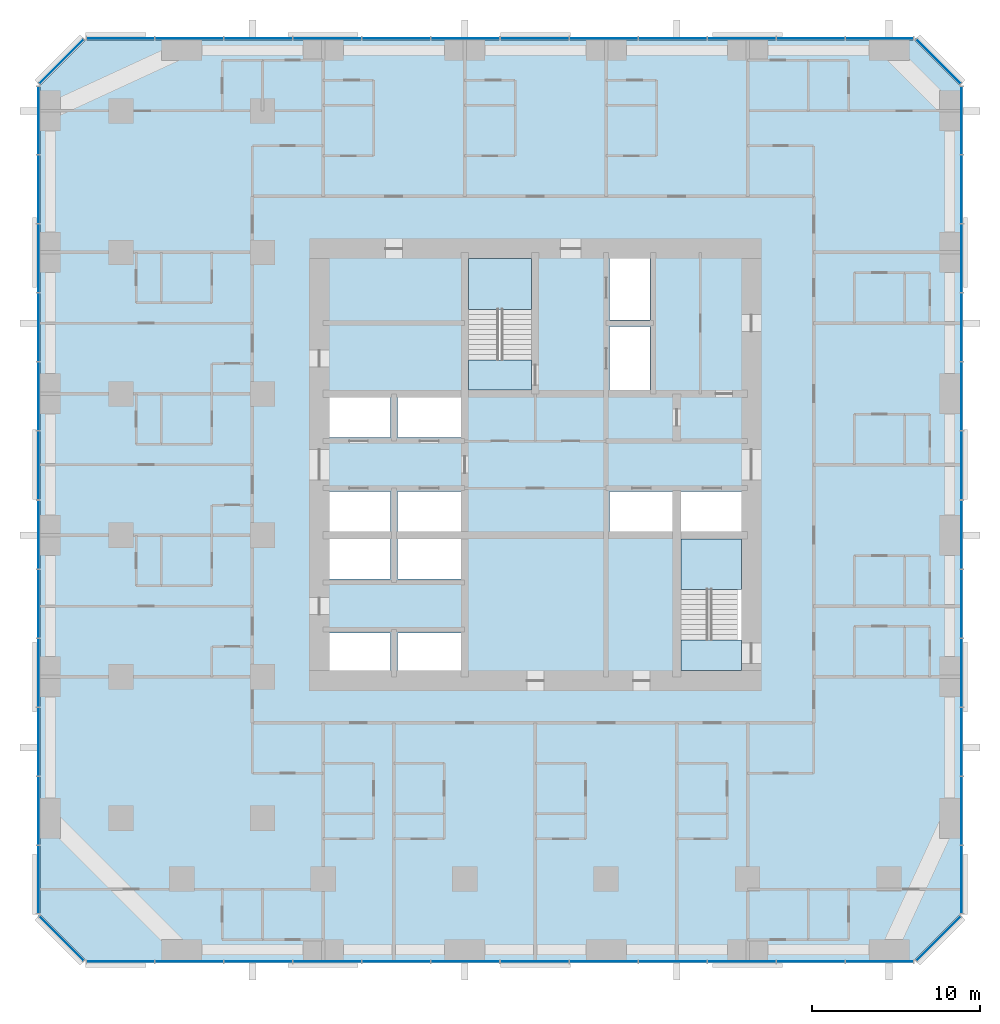
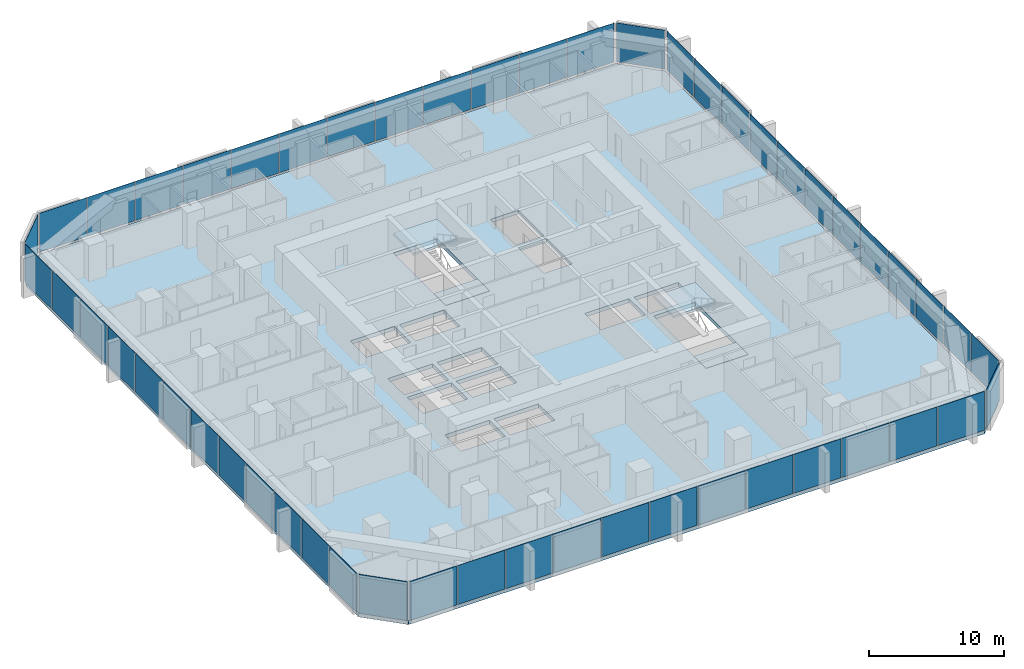
# One storey, part 7 of 14: 52 plates, 5 slabs, 10 elements without a shape of their own.
"""IFC4 building model written with IfcOpenShell, lengths in metres."""

from ifc_helpers import new_model, si_unit, direction, frame, origin, origin_2d, place, context, subcontext, project, spatial, polyline, rectangle, outline, extrude, material, layer, layer_set, type_object, element, aggregate, save


model = new_model("IFC4")

# Units and contexts
model_context = context("Model", 3, precision=1e-05, world=origin(), true_north=direction((0.0, 1.0)))
body_context = subcontext(model_context, "Body", "Model", "MODEL_VIEW")
ifc_project = project(units=[si_unit("LENGTHUNIT", "METRE"), si_unit("AREAUNIT", "SQUARE_METRE"), si_unit("VOLUMEUNIT", "CUBIC_METRE"), si_unit("PLANEANGLEUNIT", "RADIAN"), si_unit("MASSUNIT", "GRAM", prefix="KILO")], contexts=[model_context])

# Site, building, storey
site_placement = place(None, origin())
site = spatial("IfcSite", under=ifc_project, at=site_placement, CompositionType="ELEMENT")
building_placement = place(site_placement, origin())
building = spatial("IfcBuilding", under=site, at=building_placement, Name="Dunama Terrace Hotel", CompositionType="ELEMENT")
storey_placement = place(building_placement, frame((0.0, 0.0, 104.39990234375)))
storey = spatial("IfcBuildingStorey", under=building, at=storey_placement, Name="L26", CompositionType="ELEMENT", Elevation=104.39990234375)

# Curtain wall, plates
ifc_material_1 = material(Name="Aluminium curtain wall system", Category="aluminium")
curtain_wall_type = type_object("IfcCurtainWallType", Name="Unitised fritted glass wall CW-B", PredefinedType="NOTDEFINED", material=ifc_material_1)
curtain_wall_1_placement = place(storey_placement, origin())
curtain_wall_1 = element("IfcCurtainWall", 1, at=curtain_wall_1_placement, inside=storey, type_object=curtain_wall_type, Name="Unitised fritted glass wall CW-B L26", PredefinedType="NOTDEFINED")
ifc_material_2 = material(Name="Laminated glass", Category="glass")
ifc_layer_1 = layer(ifc_material_2, 0.030029296875)
ifc_layer_set_1 = layer_set([ifc_layer_1], Name="CWB clear glass panel")
plate_type_1 = type_object("IfcPlateType", Name="CWB clear glass panel", PredefinedType="CURTAIN_PANEL", material=ifc_layer_set_1)
plate_1_placement = place(storey_placement, frame((8.85009765625, -0.110107421875, 0.080078125), z_axis=(0.0, 0.0, 1.0), x_axis=(1.0, 0.0, 0.0)))
plate_1 = element("IfcPlate", 2, at=plate_1_placement, type_object=plate_type_1, Name="CWB clear glass panel", PredefinedType="CURTAIN_PANEL", context=body_context, shape_type="SweptSolid", body=[
    extrude(rectangle(XDim=4.034912109375, YDim=0.030029296875, at=origin_2d()), origin(), (0.0, 0.0, 1.0), 3.52001953125),
])
plate_2_placement = place(storey_placement, frame((21.14990234375, -0.110107421875, 0.080078125), z_axis=(0.0, 0.0, 1.0), x_axis=(1.0, 0.0, 0.0)))
plate_2 = element("IfcPlate", 3, at=plate_2_placement, type_object=plate_type_1, Name="CWB clear glass panel", PredefinedType="CURTAIN_PANEL", context=body_context, shape_type="SweptSolid", body=[
    extrude(rectangle(XDim=4.034912109375, YDim=0.030029296875, at=origin_2d()), origin(), (0.0, 0.0, 1.0), 3.52001953125),
])
plate_3_placement = place(storey_placement, frame((33.449951171875, -0.110107421875, 0.080078125), z_axis=(0.0, 0.0, 1.0), x_axis=(1.0, 0.0, 0.0)))
plate_3 = element("IfcPlate", 4, at=plate_3_placement, type_object=plate_type_1, Name="CWB clear glass panel", PredefinedType="CURTAIN_PANEL", context=body_context, shape_type="SweptSolid", body=[
    extrude(rectangle(XDim=4.034912109375, YDim=0.030029296875, at=origin_2d()), origin(), (0.0, 0.0, 1.0), 3.52001953125),
])
plate_4_placement = place(storey_placement, frame((45.75, -0.110107421875, 0.080078125), z_axis=(0.0, 0.0, 1.0), x_axis=(1.0, 0.0, 0.0)))
plate_4 = element("IfcPlate", 5, at=plate_4_placement, type_object=plate_type_1, Name="CWB clear glass panel", PredefinedType="CURTAIN_PANEL", context=body_context, shape_type="SweptSolid", body=[
    extrude(rectangle(XDim=4.034912109375, YDim=0.030029296875, at=origin_2d()), origin(), (0.0, 0.0, 1.0), 3.52001953125),
])

curtain_wall_2_placement = place(storey_placement, origin())
curtain_wall_2 = element("IfcCurtainWall", 6, at=curtain_wall_2_placement, inside=storey, type_object=curtain_wall_type, Name="Unitised fritted glass wall CW-B L26", PredefinedType="NOTDEFINED")
plate_5_placement = place(storey_placement, frame((54.7099609375, 4.76611328125, 0.080078125), z_axis=(0.0, 0.0, 1.0), x_axis=(0.0, 1.0, 0.0)))
plate_5 = element("IfcPlate", 7, at=plate_5_placement, type_object=plate_type_1, Name="CWB clear glass panel", PredefinedType="CURTAIN_PANEL", context=body_context, shape_type="SweptSolid", body=[
    extrude(rectangle(XDim=4.00244140625, YDim=0.030029296875, at=origin_2d()), origin(), (0.0, 0.0, 1.0), 3.52001953125),
])
plate_6_placement = place(storey_placement, frame((54.7099609375, 17.050048828125, 0.080078125), z_axis=(0.0, 0.0, 1.0), x_axis=(0.0, 1.0, 0.0)))
plate_6 = element("IfcPlate", 8, at=plate_6_placement, type_object=plate_type_1, Name="CWB clear glass panel", PredefinedType="CURTAIN_PANEL", context=body_context, shape_type="SweptSolid", body=[
    extrude(rectangle(XDim=4.034912109375, YDim=0.030029296875, at=origin_2d()), origin(), (0.0, 0.0, 1.0), 3.52001953125),
])
plate_7_placement = place(storey_placement, frame((54.7099609375, 29.35009765625, 0.080078125), z_axis=(0.0, 0.0, 1.0), x_axis=(0.0, 1.0, 0.0)))
plate_7 = element("IfcPlate", 9, at=plate_7_placement, type_object=plate_type_1, Name="CWB clear glass panel", PredefinedType="CURTAIN_PANEL", context=body_context, shape_type="SweptSolid", body=[
    extrude(rectangle(XDim=4.034912109375, YDim=0.030029296875, at=origin_2d()), origin(), (0.0, 0.0, 1.0), 3.52001953125),
])
plate_8_placement = place(storey_placement, frame((54.7099609375, 41.64990234375, 0.080078125), z_axis=(0.0, 0.0, 1.0), x_axis=(0.0, 1.0, 0.0)))
plate_8 = element("IfcPlate", 10, at=plate_8_placement, type_object=plate_type_1, Name="CWB clear glass panel", PredefinedType="CURTAIN_PANEL", context=body_context, shape_type="SweptSolid", body=[
    extrude(rectangle(XDim=4.034912109375, YDim=0.030029296875, at=origin_2d()), origin(), (0.0, 0.0, 1.0), 3.52001953125),
])

# Curtain wall, plate
curtain_wall_3_placement = place(storey_placement, origin())
curtain_wall_3 = element("IfcCurtainWall", 11, at=curtain_wall_3_placement, inside=storey, type_object=curtain_wall_type, Name="Unitised fritted glass wall CW-B L26", PredefinedType="NOTDEFINED")
plate_9_placement = place(storey_placement, frame((53.327880859375, 53.327880859375, 0.080078125), z_axis=(0.0, 0.0, 1.0), x_axis=(-0.707106781187, 0.707106781187, 0.0)))
plate_9 = element("IfcPlate", 12, at=plate_9_placement, type_object=plate_type_1, Name="CWB clear glass panel", PredefinedType="CURTAIN_PANEL", context=body_context, shape_type="SweptSolid", body=[
    extrude(rectangle(XDim=3.6884765625, YDim=0.030029296875, at=origin_2d()), origin(), (0.0, 0.0, 1.0), 3.52001953125),
])
aggregate(curtain_wall_3, [plate_9])

# Curtain wall, plates
curtain_wall_4_placement = place(storey_placement, origin())
curtain_wall_4 = element("IfcCurtainWall", 13, at=curtain_wall_4_placement, inside=storey, type_object=curtain_wall_type, Name="Unitised fritted glass wall CW-B L26", PredefinedType="NOTDEFINED")
plate_10_placement = place(storey_placement, frame((41.64990234375, 54.7099609375, 0.080078125), z_axis=(0.0, 0.0, 1.0), x_axis=(-1.0, 0.0, 0.0)))
plate_10 = element("IfcPlate", 14, at=plate_10_placement, type_object=plate_type_1, Name="CWB clear glass panel", PredefinedType="CURTAIN_PANEL", context=body_context, shape_type="SweptSolid", body=[
    extrude(rectangle(XDim=4.034912109375, YDim=0.030029296875, at=origin_2d()), origin(), (0.0, 0.0, 1.0), 3.52001953125),
])
plate_11_placement = place(storey_placement, frame((29.35009765625, 54.7099609375, 0.080078125), z_axis=(0.0, 0.0, 1.0), x_axis=(-1.0, 0.0, 0.0)))
plate_11 = element("IfcPlate", 15, at=plate_11_placement, type_object=plate_type_1, Name="CWB clear glass panel", PredefinedType="CURTAIN_PANEL", context=body_context, shape_type="SweptSolid", body=[
    extrude(rectangle(XDim=4.034912109375, YDim=0.030029296875, at=origin_2d()), origin(), (0.0, 0.0, 1.0), 3.52001953125),
])
plate_12_placement = place(storey_placement, frame((17.050048828125, 54.7099609375, 0.080078125), z_axis=(0.0, 0.0, 1.0), x_axis=(-1.0, 0.0, 0.0)))
plate_12 = element("IfcPlate", 16, at=plate_12_placement, type_object=plate_type_1, Name="CWB clear glass panel", PredefinedType="CURTAIN_PANEL", context=body_context, shape_type="SweptSolid", body=[
    extrude(rectangle(XDim=4.034912109375, YDim=0.030029296875, at=origin_2d()), origin(), (0.0, 0.0, 1.0), 3.52001953125),
])
plate_13_placement = place(storey_placement, frame((4.76611328125, 54.7099609375, 0.080078125), z_axis=(0.0, 0.0, 1.0), x_axis=(-1.0, 0.0, 0.0)))
plate_13 = element("IfcPlate", 17, at=plate_13_placement, type_object=plate_type_1, Name="CWB clear glass panel", PredefinedType="CURTAIN_PANEL", context=body_context, shape_type="SweptSolid", body=[
    extrude(rectangle(XDim=4.00244140625, YDim=0.030029296875, at=origin_2d()), origin(), (0.0, 0.0, 1.0), 3.52001953125),
])

curtain_wall_5_placement = place(storey_placement, origin())
curtain_wall_5 = element("IfcCurtainWall", 18, at=curtain_wall_5_placement, inside=storey, type_object=curtain_wall_type, Name="Unitised fritted glass wall CW-B L26", PredefinedType="NOTDEFINED")
plate_14_placement = place(storey_placement, frame((-0.110107421875, 45.75, 0.080078125), z_axis=(0.0, 0.0, 1.0), x_axis=(0.0, -1.0, 0.0)))
plate_14 = element("IfcPlate", 19, at=plate_14_placement, type_object=plate_type_1, Name="CWB clear glass panel", PredefinedType="CURTAIN_PANEL", context=body_context, shape_type="SweptSolid", body=[
    extrude(rectangle(XDim=4.034912109375, YDim=0.030029296875, at=origin_2d()), origin(), (0.0, 0.0, 1.0), 3.52001953125),
])
plate_15_placement = place(storey_placement, frame((-0.110107421875, 33.449951171875, 0.080078125), z_axis=(0.0, 0.0, 1.0), x_axis=(0.0, -1.0, 0.0)))
plate_15 = element("IfcPlate", 20, at=plate_15_placement, type_object=plate_type_1, Name="CWB clear glass panel", PredefinedType="CURTAIN_PANEL", context=body_context, shape_type="SweptSolid", body=[
    extrude(rectangle(XDim=4.034912109375, YDim=0.030029296875, at=origin_2d()), origin(), (0.0, 0.0, 1.0), 3.52001953125),
])
plate_16_placement = place(storey_placement, frame((-0.110107421875, 21.14990234375, 0.080078125), z_axis=(0.0, 0.0, 1.0), x_axis=(0.0, -1.0, 0.0)))
plate_16 = element("IfcPlate", 21, at=plate_16_placement, type_object=plate_type_1, Name="CWB clear glass panel", PredefinedType="CURTAIN_PANEL", context=body_context, shape_type="SweptSolid", body=[
    extrude(rectangle(XDim=4.034912109375, YDim=0.030029296875, at=origin_2d()), origin(), (0.0, 0.0, 1.0), 3.52001953125),
])
plate_17_placement = place(storey_placement, frame((-0.110107421875, 8.85009765625, 0.080078125), z_axis=(0.0, 0.0, 1.0), x_axis=(0.0, -1.0, 0.0)))
plate_17 = element("IfcPlate", 22, at=plate_17_placement, type_object=plate_type_1, Name="CWB clear glass panel", PredefinedType="CURTAIN_PANEL", context=body_context, shape_type="SweptSolid", body=[
    extrude(rectangle(XDim=4.034912109375, YDim=0.030029296875, at=origin_2d()), origin(), (0.0, 0.0, 1.0), 3.52001953125),
])

# Plate
ifc_material_3 = material(Name="Fritted laminated glass", Category="glass")
ifc_layer_2 = layer(ifc_material_3, 0.030029296875)
ifc_layer_set_2 = layer_set([ifc_layer_2], Name="CWB fritted glass panel")
plate_type_2 = type_object("IfcPlateType", Name="CWB fritted glass panel", PredefinedType="CURTAIN_PANEL", material=ifc_layer_set_2)
plate_18_placement = place(storey_placement, frame((4.76611328125, -0.110107421875, 0.080078125), z_axis=(0.0, 0.0, 1.0), x_axis=(1.0, 0.0, 0.0)))
plate_18 = element("IfcPlate", 23, at=plate_18_placement, type_object=plate_type_2, Name="CWB fritted glass panel", PredefinedType="CURTAIN_PANEL", context=body_context, shape_type="SweptSolid", body=[
    extrude(rectangle(XDim=4.00244140625, YDim=0.030029296875, at=origin_2d()), origin(), (0.0, 0.0, 1.0), 3.52001953125),
])

plate_19_placement = place(storey_placement, frame((17.050048828125, -0.110107421875, 0.080078125), z_axis=(0.0, 0.0, 1.0), x_axis=(1.0, 0.0, 0.0)))
plate_19 = element("IfcPlate", 24, at=plate_19_placement, type_object=plate_type_2, Name="CWB fritted glass panel", PredefinedType="CURTAIN_PANEL", context=body_context, shape_type="SweptSolid", body=[
    extrude(rectangle(XDim=4.034912109375, YDim=0.030029296875, at=origin_2d()), origin(), (0.0, 0.0, 1.0), 3.52001953125),
])

plate_20_placement = place(storey_placement, frame((29.35009765625, -0.110107421875, 0.080078125), z_axis=(0.0, 0.0, 1.0), x_axis=(1.0, 0.0, 0.0)))
plate_20 = element("IfcPlate", 25, at=plate_20_placement, type_object=plate_type_2, Name="CWB fritted glass panel", PredefinedType="CURTAIN_PANEL", context=body_context, shape_type="SweptSolid", body=[
    extrude(rectangle(XDim=4.034912109375, YDim=0.030029296875, at=origin_2d()), origin(), (0.0, 0.0, 1.0), 3.52001953125),
])

plate_21_placement = place(storey_placement, frame((41.64990234375, -0.110107421875, 0.080078125), z_axis=(0.0, 0.0, 1.0), x_axis=(1.0, 0.0, 0.0)))
plate_21 = element("IfcPlate", 26, at=plate_21_placement, type_object=plate_type_2, Name="CWB fritted glass panel", PredefinedType="CURTAIN_PANEL", context=body_context, shape_type="SweptSolid", body=[
    extrude(rectangle(XDim=4.034912109375, YDim=0.030029296875, at=origin_2d()), origin(), (0.0, 0.0, 1.0), 3.52001953125),
])

# Curtain wall, plate
curtain_wall_6_placement = place(storey_placement, origin())
curtain_wall_6 = element("IfcCurtainWall", 27, at=curtain_wall_6_placement, inside=storey, type_object=curtain_wall_type, Name="Unitised fritted glass wall CW-B L26", PredefinedType="NOTDEFINED")
plate_22_placement = place(storey_placement, frame((53.327880859375, 1.27197265625, 0.080078125), z_axis=(0.0, 0.0, 1.0), x_axis=(0.707106781187, 0.707106781187, 0.0)))
plate_22 = element("IfcPlate", 28, at=plate_22_placement, type_object=plate_type_2, Name="CWB fritted glass panel", PredefinedType="CURTAIN_PANEL", context=body_context, shape_type="SweptSolid", body=[
    extrude(rectangle(XDim=3.6884765625, YDim=0.030029296875, at=origin_2d()), origin(), (0.0, 0.0, 1.0), 3.52001953125),
])
aggregate(curtain_wall_6, [plate_22])

# Plate
plate_23_placement = place(storey_placement, frame((54.7099609375, 12.949951171875, 0.080078125), z_axis=(0.0, 0.0, 1.0), x_axis=(0.0, 1.0, 0.0)))
plate_23 = element("IfcPlate", 29, at=plate_23_placement, type_object=plate_type_2, Name="CWB fritted glass panel", PredefinedType="CURTAIN_PANEL", context=body_context, shape_type="SweptSolid", body=[
    extrude(rectangle(XDim=4.034912109375, YDim=0.030029296875, at=origin_2d()), origin(), (0.0, 0.0, 1.0), 3.52001953125),
])

plate_24_placement = place(storey_placement, frame((54.7099609375, 25.25, 0.080078125), z_axis=(0.0, 0.0, 1.0), x_axis=(0.0, 1.0, 0.0)))
plate_24 = element("IfcPlate", 30, at=plate_24_placement, type_object=plate_type_2, Name="CWB fritted glass panel", PredefinedType="CURTAIN_PANEL", context=body_context, shape_type="SweptSolid", body=[
    extrude(rectangle(XDim=4.034912109375, YDim=0.030029296875, at=origin_2d()), origin(), (0.0, 0.0, 1.0), 3.52001953125),
])

plate_25_placement = place(storey_placement, frame((54.7099609375, 37.550048828125, 0.080078125), z_axis=(0.0, 0.0, 1.0), x_axis=(0.0, 1.0, 0.0)))
plate_25 = element("IfcPlate", 31, at=plate_25_placement, type_object=plate_type_2, Name="CWB fritted glass panel", PredefinedType="CURTAIN_PANEL", context=body_context, shape_type="SweptSolid", body=[
    extrude(rectangle(XDim=4.034912109375, YDim=0.030029296875, at=origin_2d()), origin(), (0.0, 0.0, 1.0), 3.52001953125),
])

plate_26_placement = place(storey_placement, frame((54.7099609375, 49.833984375, 0.080078125), z_axis=(0.0, 0.0, 1.0), x_axis=(0.0, 1.0, 0.0)))
plate_26 = element("IfcPlate", 32, at=plate_26_placement, type_object=plate_type_2, Name="CWB fritted glass panel", PredefinedType="CURTAIN_PANEL", context=body_context, shape_type="SweptSolid", body=[
    extrude(rectangle(XDim=4.00244140625, YDim=0.030029296875, at=origin_2d()), origin(), (0.0, 0.0, 1.0), 3.52001953125),
])

plate_27_placement = place(storey_placement, frame((45.75, 54.7099609375, 0.080078125), z_axis=(0.0, 0.0, 1.0), x_axis=(-1.0, 0.0, 0.0)))
plate_27 = element("IfcPlate", 33, at=plate_27_placement, type_object=plate_type_2, Name="CWB fritted glass panel", PredefinedType="CURTAIN_PANEL", context=body_context, shape_type="SweptSolid", body=[
    extrude(rectangle(XDim=4.034912109375, YDim=0.030029296875, at=origin_2d()), origin(), (0.0, 0.0, 1.0), 3.52001953125),
])

plate_28_placement = place(storey_placement, frame((33.449951171875, 54.7099609375, 0.080078125), z_axis=(0.0, 0.0, 1.0), x_axis=(-1.0, 0.0, 0.0)))
plate_28 = element("IfcPlate", 34, at=plate_28_placement, type_object=plate_type_2, Name="CWB fritted glass panel", PredefinedType="CURTAIN_PANEL", context=body_context, shape_type="SweptSolid", body=[
    extrude(rectangle(XDim=4.034912109375, YDim=0.030029296875, at=origin_2d()), origin(), (0.0, 0.0, 1.0), 3.52001953125),
])

plate_29_placement = place(storey_placement, frame((21.14990234375, 54.7099609375, 0.080078125), z_axis=(0.0, 0.0, 1.0), x_axis=(-1.0, 0.0, 0.0)))
plate_29 = element("IfcPlate", 35, at=plate_29_placement, type_object=plate_type_2, Name="CWB fritted glass panel", PredefinedType="CURTAIN_PANEL", context=body_context, shape_type="SweptSolid", body=[
    extrude(rectangle(XDim=4.034912109375, YDim=0.030029296875, at=origin_2d()), origin(), (0.0, 0.0, 1.0), 3.52001953125),
])

plate_30_placement = place(storey_placement, frame((8.85009765625, 54.7099609375, 0.080078125), z_axis=(0.0, 0.0, 1.0), x_axis=(-1.0, 0.0, 0.0)))
plate_30 = element("IfcPlate", 36, at=plate_30_placement, type_object=plate_type_2, Name="CWB fritted glass panel", PredefinedType="CURTAIN_PANEL", context=body_context, shape_type="SweptSolid", body=[
    extrude(rectangle(XDim=4.034912109375, YDim=0.030029296875, at=origin_2d()), origin(), (0.0, 0.0, 1.0), 3.52001953125),
])

plate_31_placement = place(storey_placement, frame((-0.110107421875, 49.833984375, 0.080078125), z_axis=(0.0, 0.0, 1.0), x_axis=(0.0, -1.0, 0.0)))
plate_31 = element("IfcPlate", 37, at=plate_31_placement, type_object=plate_type_2, Name="CWB fritted glass panel", PredefinedType="CURTAIN_PANEL", context=body_context, shape_type="SweptSolid", body=[
    extrude(rectangle(XDim=4.00244140625, YDim=0.030029296875, at=origin_2d()), origin(), (0.0, 0.0, 1.0), 3.52001953125),
])

plate_32_placement = place(storey_placement, frame((-0.110107421875, 37.550048828125, 0.080078125), z_axis=(0.0, 0.0, 1.0), x_axis=(0.0, -1.0, 0.0)))
plate_32 = element("IfcPlate", 38, at=plate_32_placement, type_object=plate_type_2, Name="CWB fritted glass panel", PredefinedType="CURTAIN_PANEL", context=body_context, shape_type="SweptSolid", body=[
    extrude(rectangle(XDim=4.034912109375, YDim=0.030029296875, at=origin_2d()), origin(), (0.0, 0.0, 1.0), 3.52001953125),
])

plate_33_placement = place(storey_placement, frame((-0.110107421875, 25.25, 0.080078125), z_axis=(0.0, 0.0, 1.0), x_axis=(0.0, -1.0, 0.0)))
plate_33 = element("IfcPlate", 39, at=plate_33_placement, type_object=plate_type_2, Name="CWB fritted glass panel", PredefinedType="CURTAIN_PANEL", context=body_context, shape_type="SweptSolid", body=[
    extrude(rectangle(XDim=4.034912109375, YDim=0.030029296875, at=origin_2d()), origin(), (0.0, 0.0, 1.0), 3.52001953125),
])

plate_34_placement = place(storey_placement, frame((-0.110107421875, 12.949951171875, 0.080078125), z_axis=(0.0, 0.0, 1.0), x_axis=(0.0, -1.0, 0.0)))
plate_34 = element("IfcPlate", 40, at=plate_34_placement, type_object=plate_type_2, Name="CWB fritted glass panel", PredefinedType="CURTAIN_PANEL", context=body_context, shape_type="SweptSolid", body=[
    extrude(rectangle(XDim=4.034912109375, YDim=0.030029296875, at=origin_2d()), origin(), (0.0, 0.0, 1.0), 3.52001953125),
])

# Curtain wall, plate
curtain_wall_7_placement = place(storey_placement, origin())
curtain_wall_7 = element("IfcCurtainWall", 41, at=curtain_wall_7_placement, inside=storey, type_object=curtain_wall_type, Name="Unitised fritted glass wall CW-B L26", PredefinedType="NOTDEFINED")
plate_35_placement = place(storey_placement, frame((1.27197265625, 1.27197265625, 0.080078125), z_axis=(0.0, 0.0, 1.0), x_axis=(0.707106781187, -0.707106781187, 0.0)))
plate_35 = element("IfcPlate", 42, at=plate_35_placement, type_object=plate_type_2, Name="CWB fritted glass panel", PredefinedType="CURTAIN_PANEL", context=body_context, shape_type="SweptSolid", body=[
    extrude(rectangle(XDim=3.6884765625, YDim=0.030029296875, at=origin_2d()), origin(), (0.0, 0.0, 1.0), 3.52001953125),
])
aggregate(curtain_wall_7, [plate_35])

# Plate
ifc_material_4 = material(Name="Laminated glass", Category="glass")
ifc_layer_3 = layer(ifc_material_4, 0.030029296875)
ifc_layer_set_3 = layer_set([ifc_layer_3], Name="CWB operable glass panel")
plate_type_3 = type_object("IfcPlateType", Name="CWB operable glass panel", PredefinedType="CURTAIN_PANEL", material=ifc_layer_set_3)
plate_36_placement = place(storey_placement, frame((12.949951171875, -0.110107421875, 0.080078125), z_axis=(0.0, 0.0, 1.0), x_axis=(1.0, 0.0, 0.0)))
plate_36 = element("IfcPlate", 43, at=plate_36_placement, type_object=plate_type_3, Name="CWB operable glass panel", PredefinedType="CURTAIN_PANEL", context=body_context, shape_type="SweptSolid", body=[
    extrude(rectangle(XDim=4.034912109375, YDim=0.030029296875, at=origin_2d()), origin(), (0.0, 0.0, 1.0), 3.52001953125),
])

plate_37_placement = place(storey_placement, frame((25.25, -0.110107421875, 0.080078125), z_axis=(0.0, 0.0, 1.0), x_axis=(1.0, 0.0, 0.0)))
plate_37 = element("IfcPlate", 44, at=plate_37_placement, type_object=plate_type_3, Name="CWB operable glass panel", PredefinedType="CURTAIN_PANEL", context=body_context, shape_type="SweptSolid", body=[
    extrude(rectangle(XDim=4.034912109375, YDim=0.030029296875, at=origin_2d()), origin(), (0.0, 0.0, 1.0), 3.52001953125),
])

plate_38_placement = place(storey_placement, frame((37.550048828125, -0.110107421875, 0.080078125), z_axis=(0.0, 0.0, 1.0), x_axis=(1.0, 0.0, 0.0)))
plate_38 = element("IfcPlate", 45, at=plate_38_placement, type_object=plate_type_3, Name="CWB operable glass panel", PredefinedType="CURTAIN_PANEL", context=body_context, shape_type="SweptSolid", body=[
    extrude(rectangle(XDim=4.034912109375, YDim=0.030029296875, at=origin_2d()), origin(), (0.0, 0.0, 1.0), 3.52001953125),
])

plate_39_placement = place(storey_placement, frame((49.833984375, -0.110107421875, 0.080078125), z_axis=(0.0, 0.0, 1.0), x_axis=(1.0, 0.0, 0.0)))
plate_39 = element("IfcPlate", 46, at=plate_39_placement, type_object=plate_type_3, Name="CWB operable glass panel", PredefinedType="CURTAIN_PANEL", context=body_context, shape_type="SweptSolid", body=[
    extrude(rectangle(XDim=4.00244140625, YDim=0.030029296875, at=origin_2d()), origin(), (0.0, 0.0, 1.0), 3.52001953125),
])

aggregate(curtain_wall_1, [plate_18, plate_1, plate_36, plate_19, plate_2, plate_37, plate_20, plate_3, plate_38, plate_21, plate_4, plate_39])

plate_40_placement = place(storey_placement, frame((54.7099609375, 8.85009765625, 0.080078125), z_axis=(0.0, 0.0, 1.0), x_axis=(0.0, 1.0, 0.0)))
plate_40 = element("IfcPlate", 47, at=plate_40_placement, type_object=plate_type_3, Name="CWB operable glass panel", PredefinedType="CURTAIN_PANEL", context=body_context, shape_type="SweptSolid", body=[
    extrude(rectangle(XDim=4.034912109375, YDim=0.030029296875, at=origin_2d()), origin(), (0.0, 0.0, 1.0), 3.52001953125),
])

plate_41_placement = place(storey_placement, frame((54.7099609375, 21.14990234375, 0.080078125), z_axis=(0.0, 0.0, 1.0), x_axis=(0.0, 1.0, 0.0)))
plate_41 = element("IfcPlate", 48, at=plate_41_placement, type_object=plate_type_3, Name="CWB operable glass panel", PredefinedType="CURTAIN_PANEL", context=body_context, shape_type="SweptSolid", body=[
    extrude(rectangle(XDim=4.034912109375, YDim=0.030029296875, at=origin_2d()), origin(), (0.0, 0.0, 1.0), 3.52001953125),
])

plate_42_placement = place(storey_placement, frame((54.7099609375, 33.449951171875, 0.080078125), z_axis=(0.0, 0.0, 1.0), x_axis=(0.0, 1.0, 0.0)))
plate_42 = element("IfcPlate", 49, at=plate_42_placement, type_object=plate_type_3, Name="CWB operable glass panel", PredefinedType="CURTAIN_PANEL", context=body_context, shape_type="SweptSolid", body=[
    extrude(rectangle(XDim=4.034912109375, YDim=0.030029296875, at=origin_2d()), origin(), (0.0, 0.0, 1.0), 3.52001953125),
])

plate_43_placement = place(storey_placement, frame((54.7099609375, 45.75, 0.080078125), z_axis=(0.0, 0.0, 1.0), x_axis=(0.0, 1.0, 0.0)))
plate_43 = element("IfcPlate", 50, at=plate_43_placement, type_object=plate_type_3, Name="CWB operable glass panel", PredefinedType="CURTAIN_PANEL", context=body_context, shape_type="SweptSolid", body=[
    extrude(rectangle(XDim=4.034912109375, YDim=0.030029296875, at=origin_2d()), origin(), (0.0, 0.0, 1.0), 3.52001953125),
])

aggregate(curtain_wall_2, [plate_5, plate_40, plate_23, plate_6, plate_41, plate_24, plate_7, plate_42, plate_25, plate_8, plate_43, plate_26])

plate_44_placement = place(storey_placement, frame((49.833984375, 54.7099609375, 0.080078125), z_axis=(0.0, 0.0, 1.0), x_axis=(-1.0, 0.0, 0.0)))
plate_44 = element("IfcPlate", 51, at=plate_44_placement, type_object=plate_type_3, Name="CWB operable glass panel", PredefinedType="CURTAIN_PANEL", context=body_context, shape_type="SweptSolid", body=[
    extrude(rectangle(XDim=4.00244140625, YDim=0.030029296875, at=origin_2d()), origin(), (0.0, 0.0, 1.0), 3.52001953125),
])

plate_45_placement = place(storey_placement, frame((37.550048828125, 54.7099609375, 0.080078125), z_axis=(0.0, 0.0, 1.0), x_axis=(-1.0, 0.0, 0.0)))
plate_45 = element("IfcPlate", 52, at=plate_45_placement, type_object=plate_type_3, Name="CWB operable glass panel", PredefinedType="CURTAIN_PANEL", context=body_context, shape_type="SweptSolid", body=[
    extrude(rectangle(XDim=4.034912109375, YDim=0.030029296875, at=origin_2d()), origin(), (0.0, 0.0, 1.0), 3.52001953125),
])

plate_46_placement = place(storey_placement, frame((25.25, 54.7099609375, 0.080078125), z_axis=(0.0, 0.0, 1.0), x_axis=(-1.0, 0.0, 0.0)))
plate_46 = element("IfcPlate", 53, at=plate_46_placement, type_object=plate_type_3, Name="CWB operable glass panel", PredefinedType="CURTAIN_PANEL", context=body_context, shape_type="SweptSolid", body=[
    extrude(rectangle(XDim=4.034912109375, YDim=0.030029296875, at=origin_2d()), origin(), (0.0, 0.0, 1.0), 3.52001953125),
])

plate_47_placement = place(storey_placement, frame((12.949951171875, 54.7099609375, 0.080078125), z_axis=(0.0, 0.0, 1.0), x_axis=(-1.0, 0.0, 0.0)))
plate_47 = element("IfcPlate", 54, at=plate_47_placement, type_object=plate_type_3, Name="CWB operable glass panel", PredefinedType="CURTAIN_PANEL", context=body_context, shape_type="SweptSolid", body=[
    extrude(rectangle(XDim=4.034912109375, YDim=0.030029296875, at=origin_2d()), origin(), (0.0, 0.0, 1.0), 3.52001953125),
])

aggregate(curtain_wall_4, [plate_44, plate_27, plate_10, plate_45, plate_28, plate_11, plate_46, plate_29, plate_12, plate_47, plate_30, plate_13])

# Curtain wall, plate
curtain_wall_8_placement = place(storey_placement, origin())
curtain_wall_8 = element("IfcCurtainWall", 55, at=curtain_wall_8_placement, inside=storey, type_object=curtain_wall_type, Name="Unitised fritted glass wall CW-B L26", PredefinedType="NOTDEFINED")
plate_48_placement = place(storey_placement, frame((1.27197265625, 53.327880859375, 0.080078125), z_axis=(0.0, 0.0, 1.0), x_axis=(-0.707106781187, -0.707106781187, 0.0)))
plate_48 = element("IfcPlate", 56, at=plate_48_placement, type_object=plate_type_3, Name="CWB operable glass panel", PredefinedType="CURTAIN_PANEL", context=body_context, shape_type="SweptSolid", body=[
    extrude(rectangle(XDim=3.6884765625, YDim=0.030029296875, at=origin_2d()), origin(), (0.0, 0.0, 1.0), 3.52001953125),
])
aggregate(curtain_wall_8, [plate_48])

# Plate
plate_49_placement = place(storey_placement, frame((-0.110107421875, 41.64990234375, 0.080078125), z_axis=(0.0, 0.0, 1.0), x_axis=(0.0, -1.0, 0.0)))
plate_49 = element("IfcPlate", 57, at=plate_49_placement, type_object=plate_type_3, Name="CWB operable glass panel", PredefinedType="CURTAIN_PANEL", context=body_context, shape_type="SweptSolid", body=[
    extrude(rectangle(XDim=4.034912109375, YDim=0.030029296875, at=origin_2d()), origin(), (0.0, 0.0, 1.0), 3.52001953125),
])

plate_50_placement = place(storey_placement, frame((-0.110107421875, 29.35009765625, 0.080078125), z_axis=(0.0, 0.0, 1.0), x_axis=(0.0, -1.0, 0.0)))
plate_50 = element("IfcPlate", 58, at=plate_50_placement, type_object=plate_type_3, Name="CWB operable glass panel", PredefinedType="CURTAIN_PANEL", context=body_context, shape_type="SweptSolid", body=[
    extrude(rectangle(XDim=4.034912109375, YDim=0.030029296875, at=origin_2d()), origin(), (0.0, 0.0, 1.0), 3.52001953125),
])

plate_51_placement = place(storey_placement, frame((-0.110107421875, 17.050048828125, 0.080078125), z_axis=(0.0, 0.0, 1.0), x_axis=(0.0, -1.0, 0.0)))
plate_51 = element("IfcPlate", 59, at=plate_51_placement, type_object=plate_type_3, Name="CWB operable glass panel", PredefinedType="CURTAIN_PANEL", context=body_context, shape_type="SweptSolid", body=[
    extrude(rectangle(XDim=4.034912109375, YDim=0.030029296875, at=origin_2d()), origin(), (0.0, 0.0, 1.0), 3.52001953125),
])

plate_52_placement = place(storey_placement, frame((-0.110107421875, 4.76611328125, 0.080078125), z_axis=(0.0, 0.0, 1.0), x_axis=(0.0, -1.0, 0.0)))
plate_52 = element("IfcPlate", 60, at=plate_52_placement, type_object=plate_type_3, Name="CWB operable glass panel", PredefinedType="CURTAIN_PANEL", context=body_context, shape_type="SweptSolid", body=[
    extrude(rectangle(XDim=4.00244140625, YDim=0.030029296875, at=origin_2d()), origin(), (0.0, 0.0, 1.0), 3.52001953125),
])

aggregate(curtain_wall_5, [plate_31, plate_14, plate_49, plate_32, plate_15, plate_50, plate_33, plate_16, plate_51, plate_34, plate_17, plate_52])

# Slab
ifc_material_5 = material(Name="Concrete C40/50", Category="concrete")
ifc_layer_4 = layer(ifc_material_5, 0.35009765625)
ifc_layer_set_4 = layer_set([ifc_layer_4], Name="Flat plate 350")
slab_type_1 = type_object("IfcSlabType", Name="Flat plate 350", PredefinedType="FLOOR", material=ifc_layer_set_4)
slab_1_placement = place(storey_placement, frame((0.0, 0.0, -0.349853515625)))
element("IfcSlab", 61, at=slab_1_placement, inside=storey, type_object=slab_type_1, Name="Floor slab L26", PredefinedType="FLOOR", context=body_context, shape_type="SweptSolid", body=[
    extrude(outline(polyline([(2.699951171875, 0.0), (51.89990234375, 0.0), (54.60009765625, 2.699951171875), (54.60009765625, 51.89990234375), (51.89990234375, 54.60009765625), (2.699951171875, 54.60009765625), (0.0, 51.89990234375), (0.0, 2.699951171875), (2.699951171875, 0.0)]), holes=[polyline([(37.60009765625, 25.39990234375), (37.60009765625, 27.800048828125), (33.800048828125, 27.800048828125), (33.800048828125, 25.39990234375), (37.60009765625, 25.39990234375)]), polyline([(41.800048828125, 25.39990234375), (41.800048828125, 27.800048828125), (38.0, 27.800048828125), (38.0, 25.39990234375), (41.800048828125, 25.39990234375)]), polyline([(20.800048828125, 17.0), (20.800048828125, 19.39990234375), (17.0, 19.39990234375), (17.0, 17.0), (20.800048828125, 17.0)]), polyline([(25.0, 17.0), (25.0, 19.39990234375), (21.199951171875, 19.39990234375), (21.199951171875, 17.0), (25.0, 17.0)]), polyline([(20.800048828125, 22.60009765625), (20.800048828125, 25.0), (17.0, 25.0), (17.0, 22.60009765625), (20.800048828125, 22.60009765625)]), polyline([(25.0, 22.60009765625), (25.0, 25.0), (21.199951171875, 25.0), (21.199951171875, 22.60009765625), (25.0, 22.60009765625)]), polyline([(20.800048828125, 25.39990234375), (20.800048828125, 27.800048828125), (17.0, 27.800048828125), (17.0, 25.39990234375), (20.800048828125, 25.39990234375)]), polyline([(25.0, 25.39990234375), (25.0, 27.800048828125), (21.199951171875, 27.800048828125), (21.199951171875, 25.39990234375), (25.0, 25.39990234375)]), polyline([(20.800048828125, 31.0), (20.800048828125, 33.39990234375), (17.0, 33.39990234375), (17.0, 31.0), (20.800048828125, 31.0)]), polyline([(25.0, 31.0), (25.0, 33.39990234375), (21.199951171875, 33.39990234375), (21.199951171875, 31.0), (25.0, 31.0)]), polyline([(36.199951171875, 38.0), (36.199951171875, 41.800048828125), (33.800048828125, 41.800048828125), (33.800048828125, 38.0), (36.199951171875, 38.0)]), polyline([(36.199951171875, 33.800048828125), (36.199951171875, 37.60009765625), (33.800048828125, 37.60009765625), (33.800048828125, 33.800048828125), (36.199951171875, 33.800048828125)]), polyline([(29.175048828125, 33.824951171875), (29.175048828125, 41.625), (25.425048828125, 41.625), (25.425048828125, 33.824951171875), (29.175048828125, 33.824951171875)]), polyline([(41.625, 17.175048828125), (41.625, 24.97509765625), (38.050048828125, 24.97509765625), (38.050048828125, 17.175048828125), (41.625, 17.175048828125)])]), origin(), (0.0, 0.0, 1.0), 0.349853515625),
])

# Stair, slabs
ifc_material_6 = material(Name="Concrete C40/50", Category="concrete")
stair_type_1 = type_object("IfcStairType", Name="Stair ST1-3600-1800", PredefinedType="HALF_TURN_STAIR", material=ifc_material_6)
stair_1_placement = place(storey_placement, origin())
stair_1 = element("IfcStair", 62, at=stair_1_placement, inside=storey, type_object=stair_type_1, Name="Stair ST1 L26", PredefinedType="HALF_TURN_STAIR")
ifc_material_7 = material(Name="Concrete C40/50", Category="concrete")
ifc_layer_5 = layer(ifc_material_7, 0.199951171875)
ifc_layer_set_5 = layer_set([ifc_layer_5], Name="Stair landing 200")
slab_type_2 = type_object("IfcSlabType", Name="Stair landing 200", PredefinedType="LANDING", material=ifc_layer_set_5)
slab_2_placement = place(storey_placement, frame((0.0, 0.0, -0.199951171875)))
slab_2 = element("IfcSlab", 63, at=slab_2_placement, type_object=slab_type_2, Name="ST1 landing 1, type S10", PredefinedType="LANDING", context=body_context, shape_type="SweptSolid", body=[
    extrude(outline(polyline([(25.425048828125, 33.824951171875), (29.175048828125, 33.824951171875), (29.175048828125, 35.625), (25.425048828125, 35.625), (25.425048828125, 33.824951171875)])), origin(), (0.0, 0.0, 1.0), 0.199951171875),
])
slab_3_placement = place(storey_placement, frame((0.0, 0.0, 1.60009765625)))
slab_3 = element("IfcSlab", 64, at=slab_3_placement, type_object=slab_type_2, Name="ST1 landing 2, type S10", PredefinedType="LANDING", context=body_context, shape_type="SweptSolid", body=[
    extrude(outline(polyline([(25.425048828125, 38.625), (29.175048828125, 38.625), (29.175048828125, 41.625), (25.425048828125, 41.625), (25.425048828125, 38.625)])), origin(), (0.0, 0.0, 1.0), 0.199951171875),
])
aggregate(stair_1, [slab_2, slab_3])

ifc_material_8 = material(Name="Concrete C40/50", Category="concrete")
stair_type_2 = type_object("IfcStairType", Name="Stair ST2-3600-1600", PredefinedType="HALF_TURN_STAIR", material=ifc_material_8)
stair_2_placement = place(storey_placement, origin())
stair_2 = element("IfcStair", 65, at=stair_2_placement, inside=storey, type_object=stair_type_2, Name="Stair ST2 L26", PredefinedType="HALF_TURN_STAIR")
slab_4_placement = place(storey_placement, frame((0.0, 0.0, -0.199951171875)))
slab_4 = element("IfcSlab", 66, at=slab_4_placement, type_object=slab_type_2, Name="ST2 landing 1, type S10", PredefinedType="LANDING", context=body_context, shape_type="SweptSolid", body=[
    extrude(outline(polyline([(38.050048828125, 17.175048828125), (41.625, 17.175048828125), (41.625, 19.0), (38.050048828125, 19.0), (38.050048828125, 17.175048828125)])), origin(), (0.0, 0.0, 1.0), 0.199951171875),
])
slab_5_placement = place(storey_placement, frame((0.0, 0.0, 1.60009765625)))
slab_5 = element("IfcSlab", 67, at=slab_5_placement, type_object=slab_type_2, Name="ST2 landing 2, type S10", PredefinedType="LANDING", context=body_context, shape_type="SweptSolid", body=[
    extrude(outline(polyline([(38.050048828125, 22.0), (41.625, 22.0), (41.625, 24.97509765625), (38.050048828125, 24.97509765625), (38.050048828125, 22.0)])), origin(), (0.0, 0.0, 1.0), 0.199951171875),
])
aggregate(stair_2, [slab_4, slab_5])

save(model, "model.ifc")
